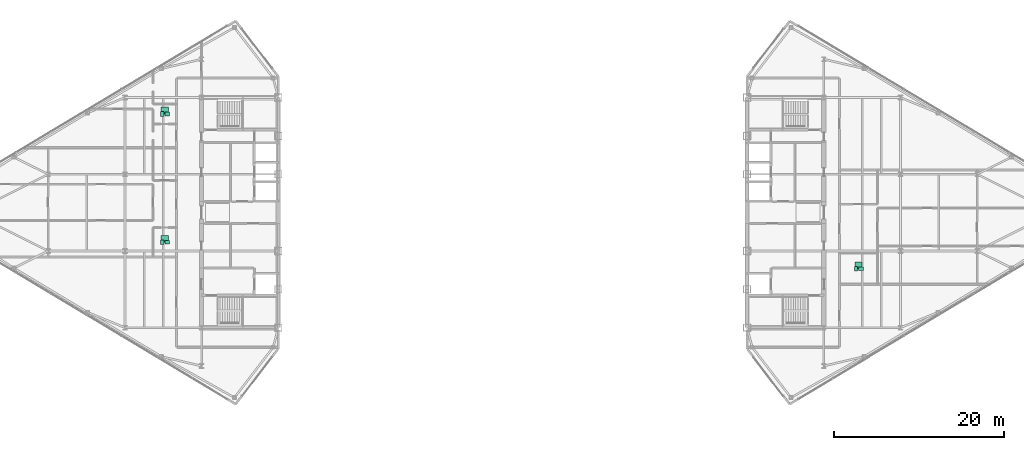
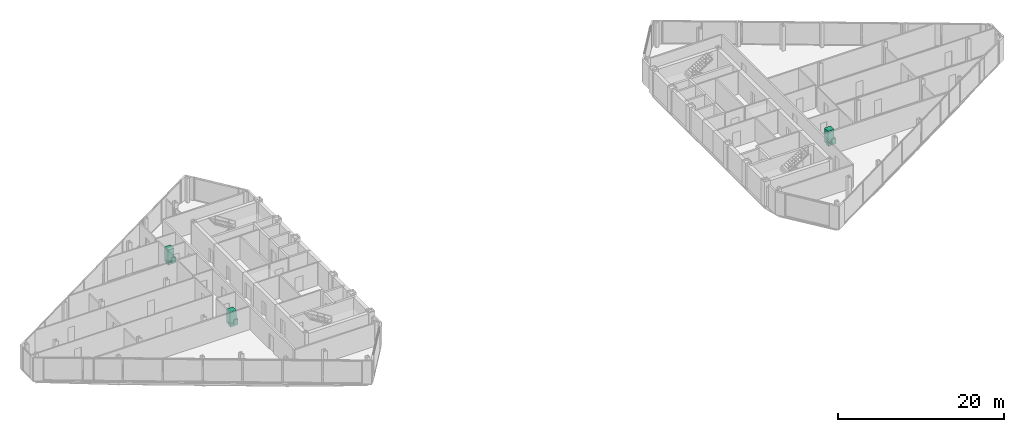
# One storey, part 25 of 25: 9 sanitary terminals.
"""IFC4 building model written with IfcOpenShell, lengths in metres."""

from ifc_helpers import new_model, si_unit, direction, frame, origin, origin_2d, place, context, subcontext, project, spatial, rectangle, extrude, source, transform, mapped, material, type_object, type_shapes, element, save


model = new_model("IFC4")

# Units and contexts
model_context = context("Model", 3, precision=1e-05, world=origin(), true_north=direction((0.0, 1.0)))
body_context = subcontext(model_context, "Body", "Model", "MODEL_VIEW")
ifc_project = project(units=[si_unit("LENGTHUNIT", "METRE"), si_unit("AREAUNIT", "SQUARE_METRE"), si_unit("VOLUMEUNIT", "CUBIC_METRE"), si_unit("PLANEANGLEUNIT", "RADIAN"), si_unit("MASSUNIT", "GRAM", prefix="KILO")], contexts=[model_context])

# Site, building, storey
site_placement = place(None, origin())
site = spatial("IfcSite", under=ifc_project, at=site_placement, CompositionType="ELEMENT")
building_placement = place(site_placement, origin())
building = spatial("IfcBuilding", under=site, at=building_placement, Name="Seokmaru Belvedere", CompositionType="ELEMENT")
storey_placement = place(building_placement, frame((0.0, 0.0, 217.5)))
storey = spatial("IfcBuildingStorey", under=building, at=storey_placement, Name="L58", CompositionType="ELEMENT", Elevation=217.5)

# Sanitary terminals
ifc_material_1 = material(Name="Vitreous China Sanitaryware")
sanitary_terminal_type_1 = type_object("IfcSanitaryTerminalType", Name="Wall-Hung Vitreous China WC Pan", PredefinedType="TOILETPAN", material=ifc_material_1)
shared_shape_1 = source(origin(), body_context, "Body", "SweptSolid", [
    extrude(rectangle(XDim=0.3798828125, YDim=0.56005859375, at=origin_2d()), origin(), (0.0, 0.0, 1.0), 0.419921875),
])
type_shapes(sanitary_terminal_type_1, [shared_shape_1])
for number, where, z_axis, x_axis, name in (
    (1, (-41.125, -3.472900390625, 0.0), (0.0, 0.0, 1.0), (1.0, 0.0, 0.0), "L58 Vitreous China WC 0268"),
    (2, (-41.125, 11.570068359375, 0.0), (0.0, 0.0, 1.0), (1.0, 0.0, 0.0), "L58 Vitreous China WC 0269"),
    (3, (40.27490234375, -6.592041015625, 0.0), (0.0, 0.0, 1.0), (1.0, 0.0, 0.0), "L58 Vitreous China WC 0270"),
):
    element("IfcSanitaryTerminal", number, at=place(storey_placement, frame(where, z_axis=z_axis, x_axis=x_axis)), inside=storey, type_object=sanitary_terminal_type_1, Name=name, PredefinedType="TOILETPAN", context=body_context, shape_type="MappedRepresentation", body=[
        mapped(shared_shape_1, transform((0.0, 0.0, 0.0), scale=1.0)),
    ])
sanitary_terminal_type_2 = type_object("IfcSanitaryTerminalType", Name="Countertop Ceramic Washhand Basin", PredefinedType="WASHHANDBASIN", material=ifc_material_1)
shared_shape_2 = source(origin(), body_context, "Body", "SweptSolid", [
    extrude(rectangle(XDim=0.550048828125, YDim=0.449951171875, at=origin_2d()), origin(), (0.0, 0.0, 1.0), 0.820068359375),
])
type_shapes(sanitary_terminal_type_2, [shared_shape_2])
for number, where, z_axis, x_axis, name in (
    (4, (-40.52490234375, -3.472900390625, 0.0), (0.0, 0.0, 1.0), (1.0, 0.0, 0.0), "L58 Ceramic Washhand Basin 0268"),
    (5, (-40.52490234375, 11.570068359375, 0.0), (0.0, 0.0, 1.0), (1.0, 0.0, 0.0), "L58 Ceramic Washhand Basin 0269"),
    (6, (40.875, -6.592041015625, 0.0), (0.0, 0.0, 1.0), (1.0, 0.0, 0.0), "L58 Ceramic Washhand Basin 0270"),
):
    element("IfcSanitaryTerminal", number, at=place(storey_placement, frame(where, z_axis=z_axis, x_axis=x_axis)), inside=storey, type_object=sanitary_terminal_type_2, Name=name, PredefinedType="WASHHANDBASIN", context=body_context, shape_type="MappedRepresentation", body=[
        mapped(shared_shape_2, transform((0.0, 0.0, 0.0), scale=1.0)),
    ])
ifc_material_2 = material(Name="Stainless Steel 316", Category="steel")
sanitary_terminal_type_3 = type_object("IfcSanitaryTerminalType", Name="Walk-In Thermostatic Rain Shower Enclosure", PredefinedType="SHOWER", material=ifc_material_2)
shared_shape_3 = source(origin(), body_context, "Body", "SweptSolid", [
    extrude(rectangle(XDim=0.85009765625, YDim=0.85009765625, at=origin_2d()), origin(), (0.0, 0.0, 1.0), 2.050048828125),
])
type_shapes(sanitary_terminal_type_3, [shared_shape_3])
for number, where, z_axis, x_axis, name in (
    (7, (-40.824951171875, -3.093017578125, 0.0), (0.0, 0.0, 1.0), (1.0, 0.0, 0.0), "L58 Walk-In Shower 0268"),
    (8, (-40.824951171875, 11.949951171875, 0.0), (0.0, 0.0, 1.0), (1.0, 0.0, 0.0), "L58 Walk-In Shower 0269"),
    (9, (40.574951171875, -6.2119140625, 0.0), (0.0, 0.0, 1.0), (1.0, 0.0, 0.0), "L58 Walk-In Shower 0270"),
):
    element("IfcSanitaryTerminal", number, at=place(storey_placement, frame(where, z_axis=z_axis, x_axis=x_axis)), inside=storey, type_object=sanitary_terminal_type_3, Name=name, PredefinedType="SHOWER", context=body_context, shape_type="MappedRepresentation", body=[
        mapped(shared_shape_3, transform((0.0, 0.0, 0.0), scale=1.0)),
    ])

save(model, "model.ifc")
